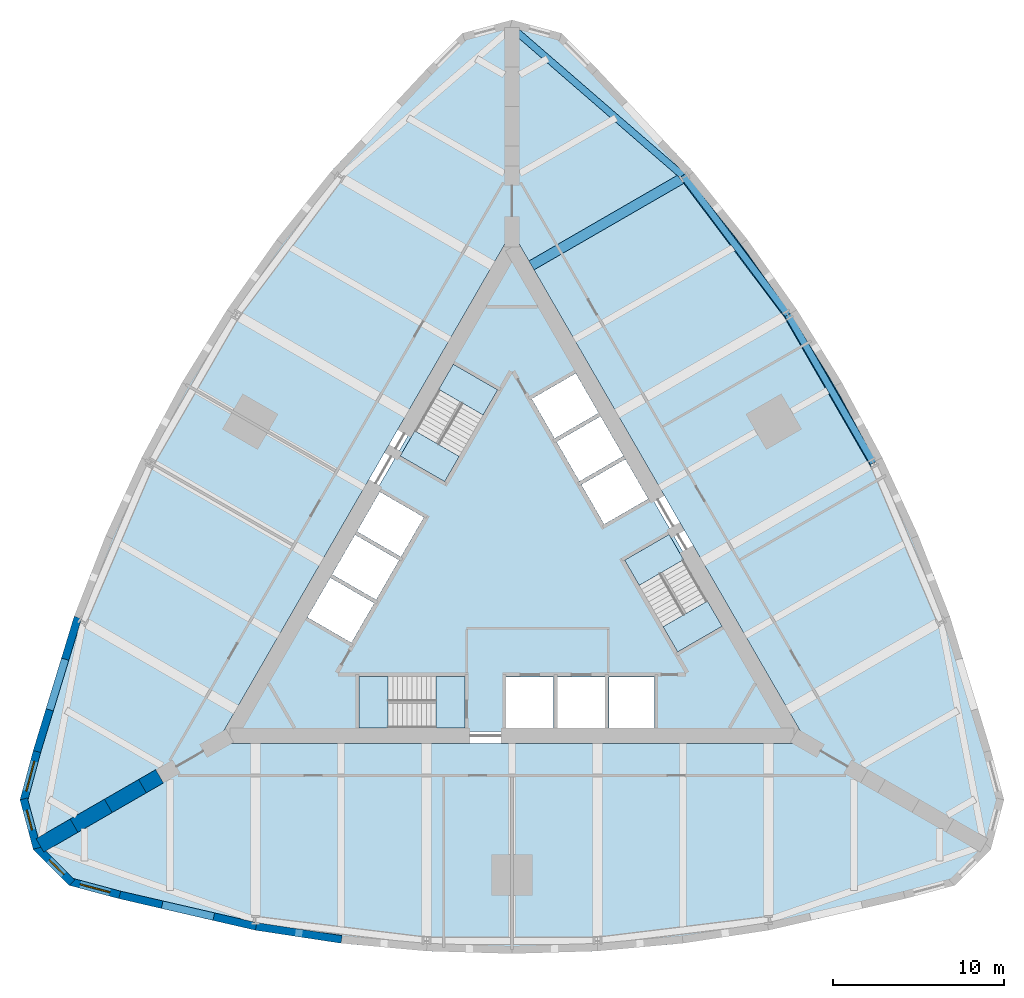
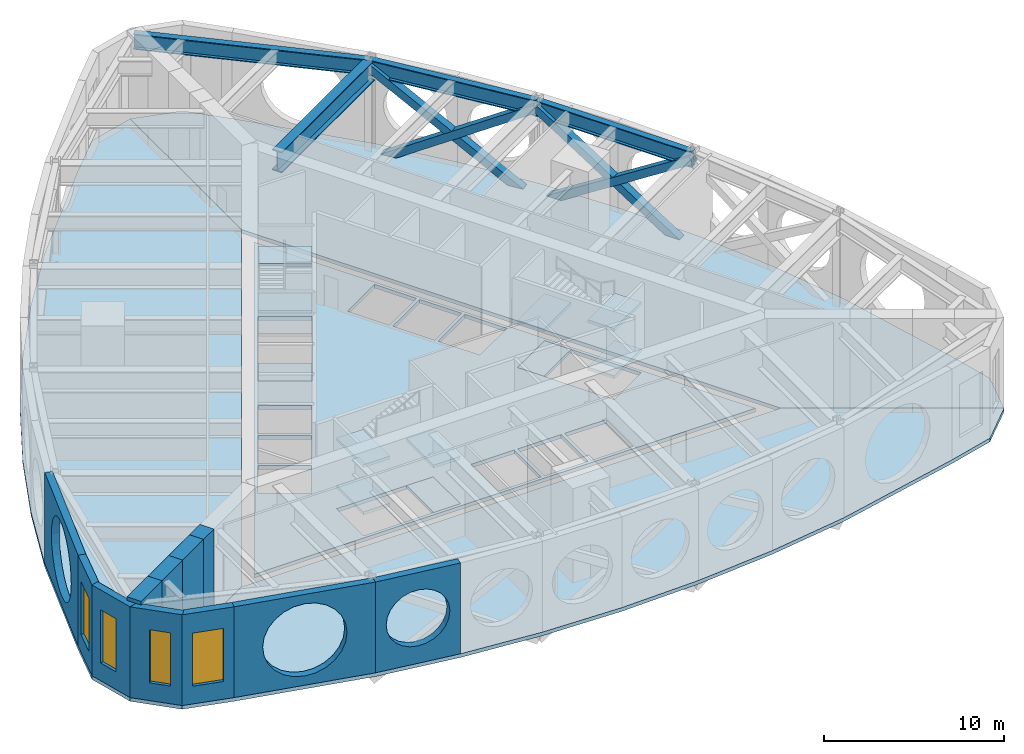
# One storey, part 2 of 7: 16 slabs, 11 walls, 4 beams, 4 members, 4 windows, 4 openings, 3 elements without a shape of their own.
"""IFC4 building model written with IfcOpenShell, lengths in metres."""

from ifc_helpers import new_model, si_unit, direction, frame, frame_2d, origin, origin_2d, place, context, subcontext, project, spatial, polyline, rectangle, hollow_rectangle, i_section, outline, extrude, material, layer, layer_set, material_profile, profile_set, type_object, element, fill, aggregate, save


model = new_model("IFC4")

# Units and contexts
model_context = context("Model", 3, precision=1e-05, world=origin(), true_north=direction((0.0, 1.0)))
body_context = subcontext(model_context, "Body", "Model", "MODEL_VIEW")
ifc_project = project(units=[si_unit("LENGTHUNIT", "METRE"), si_unit("AREAUNIT", "SQUARE_METRE"), si_unit("VOLUMEUNIT", "CUBIC_METRE"), si_unit("PLANEANGLEUNIT", "RADIAN"), si_unit("MASSUNIT", "GRAM", prefix="KILO")], contexts=[model_context])

# Site, building, storey
site_placement = place(None, origin())
site = spatial("IfcSite", under=ifc_project, at=site_placement, CompositionType="ELEMENT")
building_placement = place(site_placement, origin())
building = spatial("IfcBuilding", under=site, at=building_placement, Name="Trikona Tower", CompositionType="ELEMENT")
storey_placement = place(building_placement, frame((0.0, 0.0, 103.300048828125)))
storey = spatial("IfcBuildingStorey", under=building, at=storey_placement, Name="L27", CompositionType="ELEMENT", Elevation=103.300048828125)

# Members
ifc_material_1 = material(Name="Steel ASTM A500 Grade C", Category="steel")
ifc_material_profile_1 = material_profile(ifc_material_1, hollow_rectangle(XDim=0.508056640625, YDim=0.508056640625, WallThickness=0.0146484375, at=origin_2d()), Name="HSS20X20X5/8")
ifc_profile_set_1 = profile_set([ifc_material_profile_1], Name="Steel ASTM A500 Grade C")
member_type = type_object("IfcMemberType", Name="Belt truss diagonal HSS20x20x5/8", PredefinedType="BRACE", material=ifc_profile_set_1)
for number, where, z_axis, x_axis, name in (
    (1, (21.13720703125, 6.43017578125, -0.770751953125), (-0.42114009776, 0.729427809949, 0.539051099741), (-0.866022959057, -0.500004234368, 0.0), "Belt truss diagonal L27 F2-3a"),
    (2, (16.13720703125, 15.09033203125, -0.770751953125), (0.42114009776, -0.729427809949, 0.539051099741), (0.866022959057, 0.500004234368, 0.0), "Belt truss diagonal L27 F2-3b"),
):
    element("IfcMember", number, at=place(storey_placement, frame(where, z_axis=z_axis, x_axis=x_axis)), inside=storey, type_object=member_type, Name=name, PredefinedType="BRACE", context=body_context, shape_type="SweptSolid", body=[
        extrude(hollow_rectangle(XDim=0.508056640625, YDim=0.508056640625, WallThickness=0.0146484375, at=origin_2d()), origin(), (0.0, 0.0, 1.0), 11.87255859375),
    ])
for number, where, z_axis, x_axis, name in (
    (3, (16.13720703125, 15.09033203125, -0.770751953125), (-0.507273674807, 0.674626119907, 0.536239701241), (-0.799257787042, -0.600988344191, 0.0), "Belt truss diagonal L27 F2-4a"),
    (4, (10.0830078125, 23.141845703125, -0.770751953125), (0.507273674807, -0.674626119907, 0.536239701241), (0.799257787042, 0.600988344191, 0.0), "Belt truss diagonal L27 F2-4b"),
):
    element("IfcMember", number, at=place(storey_placement, frame(where, z_axis=z_axis, x_axis=x_axis)), inside=storey, type_object=member_type, Name=name, PredefinedType="BRACE", context=body_context, shape_type="SweptSolid", body=[
        extrude(hollow_rectangle(XDim=0.508056640625, YDim=0.508056640625, WallThickness=0.0146484375, at=origin_2d()), origin(), (0.0, 0.0, 1.0), 11.934814453125),
    ])

# Beams
ifc_material_2 = material(Name="Steel ASTM A992 Grade 50", Category="steel")
ifc_material_profile_2 = material_profile(ifc_material_2, i_section(OverallWidth=0.60009765625, OverallDepth=1.39990234375, WebThickness=0.044921875, FlangeThickness=0.06005859375, at=origin_2d()), Name="PG1400X600")
ifc_profile_set_2 = profile_set([ifc_material_profile_2], Name="Steel ASTM A992 Grade 50")
beam_type_1 = type_object("IfcBeamType", Name="Steel beam PG1400x600 (transfer)", PredefinedType="USERDEFINED", material=ifc_profile_set_2)
beam_1_placement = place(storey_placement, frame((1.1396484375, 17.978515625, 5.449951171875), z_axis=(0.866030471684, 0.499991222037, 0.0), x_axis=(-0.499991222037, 0.866030471684, 0.0)))
element("IfcBeam", 5, at=beam_1_placement, inside=storey, type_object=beam_type_1, Name="Transfer girder L28 F2 u15", ObjectType="TRANSFER GIRDER", PredefinedType="USERDEFINED", context=body_context, shape_type="SweptSolid", body=[
    extrude(i_section(OverallWidth=0.60009765625, OverallDepth=1.39990234375, WebThickness=0.044921875, FlangeThickness=0.06005859375, at=origin_2d()), origin(), (0.0, 0.0, 1.0), 10.326904296875),
])
ifc_material_3 = material(Name="Steel ASTM A992 Grade 50", Category="steel")
ifc_material_profile_3 = material_profile(ifc_material_3, i_section(OverallWidth=0.408935546875, OverallDepth=1.04150390625, WebThickness=0.031005859375, FlangeThickness=0.055908203125, at=origin_2d()), Name="W40X397")
ifc_profile_set_3 = profile_set([ifc_material_profile_3], Name="Steel ASTM A992 Grade 50")
beam_type_2 = type_object("IfcBeamType", Name="Steel beam W40x397 (plant spandrel)", PredefinedType="SPANDREL", material=ifc_profile_set_3)
beam_2_placement = place(storey_placement, frame((21.13720703125, 6.43017578125, 5.629150390625), z_axis=(-0.500004234368, 0.866022959057, 0.0), x_axis=(-0.866022959057, -0.500004234368, 0.0)))
element("IfcBeam", 6, at=beam_2_placement, inside=storey, type_object=beam_type_2, Name="Spandrel beam L28 F2-3", PredefinedType="SPANDREL", context=body_context, shape_type="SweptSolid", body=[
    extrude(i_section(OverallWidth=0.408935546875, OverallDepth=1.04150390625, WebThickness=0.031005859375, FlangeThickness=0.055908203125, at=origin_2d()), origin(), (0.0, 0.0, 1.0), 10.0),
])
beam_3_placement = place(storey_placement, frame((16.13720703125, 15.09033203125, 5.629150390625), z_axis=(-0.600988344191, 0.799257787042, 0.0), x_axis=(-0.799257787042, -0.600988344191, 0.0)))
element("IfcBeam", 7, at=beam_3_placement, inside=storey, type_object=beam_type_2, Name="Spandrel beam L28 F2-4", PredefinedType="SPANDREL", context=body_context, shape_type="SweptSolid", body=[
    extrude(i_section(OverallWidth=0.408935546875, OverallDepth=1.04150390625, WebThickness=0.031005859375, FlangeThickness=0.055908203125, at=origin_2d()), origin(), (0.0, 0.0, 1.0), 10.07373046875),
])
beam_4_placement = place(storey_placement, frame((10.0830078125, 23.141845703125, 5.629150390625), z_axis=(-0.755646822726, 0.654979296851, 0.0), x_axis=(-0.654979296851, -0.755646822726, 0.0)))
element("IfcBeam", 8, at=beam_4_placement, inside=storey, type_object=beam_type_2, Name="Spandrel beam L28 F2-5", PredefinedType="SPANDREL", context=body_context, shape_type="SweptSolid", body=[
    extrude(i_section(OverallWidth=0.408935546875, OverallDepth=1.04150390625, WebThickness=0.031005859375, FlangeThickness=0.055908203125, at=origin_2d()), origin(), (0.0, 0.0, 1.0), 13.343505859375),
])

# Slabs
ifc_material_4 = material(Name="Concrete f'c 5000 psi lightweight on composite steel deck", Category="concrete")
ifc_layer_1 = layer(ifc_material_4, 0.25)
ifc_layer_set_1 = layer_set([ifc_layer_1], Name="Composite floor slab 250")
slab_type_1 = type_object("IfcSlabType", Name="Composite floor slab 250", PredefinedType="FLOOR", material=ifc_layer_set_1)
slab_1_placement = place(storey_placement, frame((0.0, 0.0, -0.25)))
element("IfcSlab", 9, at=slab_1_placement, inside=storey, type_object=slab_type_1, Name="Floor slab L27 core", PredefinedType="FLOOR", context=body_context, shape_type="SweptSolid", body=[
    extrude(outline(polyline([(-16.06689453125, -9.2763671875), (16.06689453125, -9.2763671875), (0.0, 18.552490234375), (-16.06689453125, -9.2763671875)]), holes=[polyline([(12.285400390625, -3.126220703125), (9.185302734375, 2.2431640625), (6.587158203125, 0.7431640625), (9.687255859375, -4.626220703125), (12.285400390625, -3.126220703125)]), polyline([(8.340087890625, -9.06640625), (8.340087890625, -6.086181640625), (5.659912109375, -6.086181640625), (5.659912109375, -9.06640625), (8.340087890625, -9.06640625)]), polyline([(5.390869140625, 2.835205078125), (7.9716796875, 4.3251953125), (6.631591796875, 6.646240234375), (4.05078125, 5.15625), (5.390869140625, 2.835205078125)]), polyline([(2.600830078125, 7.667724609375), (3.94091796875, 5.3466796875), (6.521484375, 6.8369140625), (5.181640625, 9.15771484375), (2.600830078125, 7.667724609375)]), polyline([(5.43994140625, -6.086181640625), (2.659912109375, -6.086181640625), (2.659912109375, -9.06640625), (5.43994140625, -9.06640625), (5.43994140625, -6.086181640625)]), polyline([(3.731689453125, 11.669189453125), (1.15087890625, 10.17919921875), (2.490966796875, 7.858154296875), (5.071533203125, 9.34814453125), (3.731689453125, 11.669189453125)]), polyline([(-0.340087890625, -6.086181640625), (-0.340087890625, -9.06640625), (2.43994140625, -9.06640625), (2.43994140625, -6.086181640625), (-0.340087890625, -6.086181640625)]), polyline([(-3.435302734375, 12.202392578125), (-6.535400390625, 6.8330078125), (-3.937255859375, 5.3330078125), (-0.837158203125, 10.702392578125), (-3.435302734375, 12.202392578125)]), polyline([(-8.949951171875, -9.076416015625), (-2.75, -9.076416015625), (-2.75, -6.076416015625), (-8.949951171875, -6.076416015625), (-8.949951171875, -9.076416015625)]), polyline([(-5.15087890625, 3.2509765625), (-7.731689453125, 4.740966796875), (-9.071533203125, 2.419921875), (-6.490966796875, 0.929931640625), (-5.15087890625, 3.2509765625)]), polyline([(-7.94091796875, -1.581298828125), (-6.600830078125, 0.739501953125), (-9.181640625, 2.2294921875), (-10.521484375, -0.09130859375), (-7.94091796875, -1.581298828125)]), polyline([(-11.9716796875, -2.602783203125), (-9.390869140625, -4.093017578125), (-8.05078125, -1.77197265625), (-10.631591796875, -0.281982421875), (-11.9716796875, -2.602783203125)])]), origin(), (0.0, 0.0, 1.0), 0.25),
])
slab_2_placement = place(storey_placement, frame((0.0, 0.0, -0.25)))
element("IfcSlab", 10, at=slab_2_placement, inside=storey, type_object=slab_type_1, Name="Floor slab L27 south", PredefinedType="FLOOR", context=body_context, shape_type="SweptSolid", body=[
    extrude(outline(polyline([(25.88671875, -18.279052734375), (28.0, -16.165771484375), (17.279296875, -9.976318359375), (-17.279296875, -9.976318359375), (-28.0, -16.165771484375), (-25.88671875, -18.279052734375), (-23.0, -19.052490234375), (-15.0, -20.903076171875), (-10.0, -21.663818359375), (-5.0, -22.120361328125), (0.0, -22.272705078125), (5.0, -22.120361328125), (10.0, -21.663818359375), (15.0, -20.903076171875), (23.0, -19.052490234375), (25.88671875, -18.279052734375)])), origin(), (0.0, 0.0, 1.0), 0.25),
])
slab_3_placement = place(storey_placement, frame((0.0, 0.0, -0.25)))
element("IfcSlab", 11, at=slab_3_placement, inside=storey, type_object=slab_type_1, Name="Floor slab L27 north-east", PredefinedType="FLOOR", context=body_context, shape_type="SweptSolid", body=[
    extrude(outline(polyline([(2.88671875, 31.55810546875), (0.0, 32.33154296875), (0.0, 19.95263671875), (17.279296875, -9.976318359375), (28.0, -16.165771484375), (28.7734375, -13.279052734375), (28.0, -10.392333984375), (25.6025390625, -2.538818359375), (23.761474609375, 2.171630859375), (21.65673828125, 6.72998046875), (19.28857421875, 11.13623046875), (16.65673828125, 15.390380859375), (13.761474609375, 19.4921875), (10.6025390625, 23.44189453125), (5.0, 29.44482421875), (2.88671875, 31.55810546875)])), origin(), (0.0, 0.0, 1.0), 0.25),
])
slab_4_placement = place(storey_placement, frame((0.0, 0.0, -0.25)))
element("IfcSlab", 12, at=slab_4_placement, inside=storey, type_object=slab_type_1, Name="Floor slab L27 north-west", PredefinedType="FLOOR", context=body_context, shape_type="SweptSolid", body=[
    extrude(outline(polyline([(0.0, 19.95263671875), (0.0, 32.33154296875), (-2.88671875, 31.55810546875), (-5.0, 29.44482421875), (-10.6025390625, 23.44189453125), (-13.761474609375, 19.4921875), (-16.65673828125, 15.390380859375), (-19.28857421875, 11.13623046875), (-21.65673828125, 6.72998046875), (-23.761474609375, 2.171630859375), (-25.6025390625, -2.538818359375), (-28.0, -10.392333984375), (-28.7734375, -13.279052734375), (-28.0, -16.165771484375), (-17.279296875, -9.976318359375), (0.0, 19.95263671875)])), origin(), (0.0, 0.0, 1.0), 0.25),
])

# Stair, slabs
ifc_material_5 = material(Name="Concrete f'c 5000 psi", Category="concrete")
stair_type = type_object("IfcStairType", Name="Core stair", PredefinedType="HALF_TURN_STAIR", material=ifc_material_5)
stair_1_placement = place(storey_placement, origin())
stair_1 = element("IfcStair", 13, at=stair_1_placement, inside=storey, type_object=stair_type, Name="Stair A L27", PredefinedType="HALF_TURN_STAIR")
ifc_material_6 = material(Name="Concrete f'c 5000 psi", Category="concrete")
ifc_layer_2 = layer(ifc_material_6, 0.199951171875)
ifc_layer_set_2 = layer_set([ifc_layer_2], Name="Stair landing 200")
slab_type_2 = type_object("IfcSlabType", Name="Stair landing 200", PredefinedType="LANDING", material=ifc_layer_set_2)
slab_5_placement = place(storey_placement, frame((0.0, 0.0, -0.199951171875)))
slab_5 = element("IfcSlab", 14, at=slab_5_placement, type_object=slab_type_2, Name="ST-A landing 1", PredefinedType="LANDING", context=body_context, shape_type="SweptSolid", body=[
    extrude(outline(polyline([(-4.452880859375, -6.076416015625), (-2.75, -6.076416015625), (-2.75, -9.076416015625), (-4.452880859375, -9.076416015625), (-4.452880859375, -6.076416015625)])), origin(), (0.0, 0.0, 1.0), 0.199951171875),
])
slab_6_placement = place(storey_placement, frame((0.0, 0.0, 1.39990234375)))
slab_6 = element("IfcSlab", 15, at=slab_6_placement, type_object=slab_type_2, Name="ST-A landing 2", PredefinedType="LANDING", context=body_context, shape_type="SweptSolid", body=[
    extrude(outline(polyline([(-8.949951171875, -6.076416015625), (-7.2470703125, -6.076416015625), (-7.2470703125, -9.076416015625), (-8.949951171875, -9.076416015625), (-8.949951171875, -6.076416015625)])), origin(), (0.0, 0.0, 1.0), 0.199951171875),
])
slab_7_placement = place(storey_placement, frame((0.0, 0.0, 3.0)))
slab_7 = element("IfcSlab", 16, at=slab_7_placement, type_object=slab_type_2, Name="ST-A landing 3", PredefinedType="LANDING", context=body_context, shape_type="SweptSolid", body=[
    extrude(outline(polyline([(-4.452880859375, -6.076416015625), (-2.75, -6.076416015625), (-2.75, -9.076416015625), (-4.452880859375, -9.076416015625), (-4.452880859375, -6.076416015625)])), origin(), (0.0, 0.0, 1.0), 0.199951171875),
])
slab_8_placement = place(storey_placement, frame((0.0, 0.0, 4.599853515625)))
slab_8 = element("IfcSlab", 17, at=slab_8_placement, type_object=slab_type_2, Name="ST-A landing 4", PredefinedType="LANDING", context=body_context, shape_type="SweptSolid", body=[
    extrude(outline(polyline([(-8.949951171875, -6.076416015625), (-7.2470703125, -6.076416015625), (-7.2470703125, -9.076416015625), (-8.949951171875, -9.076416015625), (-8.949951171875, -6.076416015625)])), origin(), (0.0, 0.0, 1.0), 0.2001953125),
])
aggregate(stair_1, [slab_5, slab_6, slab_7, slab_8])

stair_2_placement = place(storey_placement, origin())
stair_2 = element("IfcStair", 18, at=stair_2_placement, inside=storey, type_object=stair_type, Name="Stair B L27", PredefinedType="HALF_TURN_STAIR")
slab_9_placement = place(storey_placement, frame((0.0, 0.0, -0.199951171875)))
slab_9 = element("IfcSlab", 19, at=slab_9_placement, type_object=slab_type_2, Name="ST-B landing 1", PredefinedType="LANDING", context=body_context, shape_type="SweptSolid", body=[
    extrude(outline(polyline([(7.438720703125, -0.731689453125), (6.587158203125, 0.7431640625), (9.185302734375, 2.2431640625), (10.036865234375, 0.768310546875), (7.438720703125, -0.731689453125)])), origin(), (0.0, 0.0, 1.0), 0.199951171875),
])
slab_10_placement = place(storey_placement, frame((0.0, 0.0, 1.39990234375)))
slab_10 = element("IfcSlab", 20, at=slab_10_placement, type_object=slab_type_2, Name="ST-B landing 2", PredefinedType="LANDING", context=body_context, shape_type="SweptSolid", body=[
    extrude(outline(polyline([(9.687255859375, -4.626220703125), (8.835693359375, -3.1513671875), (11.433837890625, -1.6513671875), (12.285400390625, -3.126220703125), (9.687255859375, -4.626220703125)])), origin(), (0.0, 0.0, 1.0), 0.199951171875),
])
slab_11_placement = place(storey_placement, frame((0.0, 0.0, 3.0)))
slab_11 = element("IfcSlab", 21, at=slab_11_placement, type_object=slab_type_2, Name="ST-B landing 3", PredefinedType="LANDING", context=body_context, shape_type="SweptSolid", body=[
    extrude(outline(polyline([(7.438720703125, -0.731689453125), (6.587158203125, 0.7431640625), (9.185302734375, 2.2431640625), (10.036865234375, 0.768310546875), (7.438720703125, -0.731689453125)])), origin(), (0.0, 0.0, 1.0), 0.199951171875),
])
slab_12_placement = place(storey_placement, frame((0.0, 0.0, 4.599853515625)))
slab_12 = element("IfcSlab", 22, at=slab_12_placement, type_object=slab_type_2, Name="ST-B landing 4", PredefinedType="LANDING", context=body_context, shape_type="SweptSolid", body=[
    extrude(outline(polyline([(9.687255859375, -4.626220703125), (8.835693359375, -3.1513671875), (11.433837890625, -1.6513671875), (12.285400390625, -3.126220703125), (9.687255859375, -4.626220703125)])), origin(), (0.0, 0.0, 1.0), 0.2001953125),
])
aggregate(stair_2, [slab_9, slab_10, slab_11, slab_12])

stair_3_placement = place(storey_placement, origin())
stair_3 = element("IfcStair", 23, at=stair_3_placement, inside=storey, type_object=stair_type, Name="Stair C L27", PredefinedType="HALF_TURN_STAIR")
slab_13_placement = place(storey_placement, frame((0.0, 0.0, -0.199951171875)))
slab_13 = element("IfcSlab", 24, at=slab_13_placement, type_object=slab_type_2, Name="ST-C landing 1", PredefinedType="LANDING", context=body_context, shape_type="SweptSolid", body=[
    extrude(outline(polyline([(-3.085693359375, 6.807861328125), (-3.937255859375, 5.3330078125), (-6.535400390625, 6.8330078125), (-5.683837890625, 8.307861328125), (-3.085693359375, 6.807861328125)])), origin(), (0.0, 0.0, 1.0), 0.199951171875),
])
slab_14_placement = place(storey_placement, frame((0.0, 0.0, 1.39990234375)))
slab_14 = element("IfcSlab", 25, at=slab_14_placement, type_object=slab_type_2, Name="ST-C landing 2", PredefinedType="LANDING", context=body_context, shape_type="SweptSolid", body=[
    extrude(outline(polyline([(-0.837158203125, 10.702392578125), (-1.688720703125, 9.2275390625), (-4.286865234375, 10.7275390625), (-3.435302734375, 12.202392578125), (-0.837158203125, 10.702392578125)])), origin(), (0.0, 0.0, 1.0), 0.199951171875),
])
slab_15_placement = place(storey_placement, frame((0.0, 0.0, 3.0)))
slab_15 = element("IfcSlab", 26, at=slab_15_placement, type_object=slab_type_2, Name="ST-C landing 3", PredefinedType="LANDING", context=body_context, shape_type="SweptSolid", body=[
    extrude(outline(polyline([(-3.085693359375, 6.807861328125), (-3.937255859375, 5.3330078125), (-6.535400390625, 6.8330078125), (-5.683837890625, 8.307861328125), (-3.085693359375, 6.807861328125)])), origin(), (0.0, 0.0, 1.0), 0.199951171875),
])
slab_16_placement = place(storey_placement, frame((0.0, 0.0, 4.599853515625)))
slab_16 = element("IfcSlab", 27, at=slab_16_placement, type_object=slab_type_2, Name="ST-C landing 4", PredefinedType="LANDING", context=body_context, shape_type="SweptSolid", body=[
    extrude(outline(polyline([(-0.837158203125, 10.702392578125), (-1.688720703125, 9.2275390625), (-4.286865234375, 10.7275390625), (-3.435302734375, 12.202392578125), (-0.837158203125, 10.702392578125)])), origin(), (0.0, 0.0, 1.0), 0.2001953125),
])
aggregate(stair_3, [slab_13, slab_14, slab_15, slab_16])

# Wall, opening, window
ifc_material_7 = material(Name="Brick-faced precast concrete", Category="masonry")
ifc_layer_3 = layer(ifc_material_7, 0.449951171875)
ifc_layer_set_3 = layer_set([ifc_layer_3], Name="Brick-faced corner wall 450")
wall_type_1 = type_object("IfcWallType", Name="Brick-faced corner wall 450", PredefinedType="SOLIDWALL", material=ifc_layer_set_3)
wall_1_placement = place(storey_placement, frame((-27.78271484375, -10.450439453125, 0.0), z_axis=(0.0, 0.0, 1.0), x_axis=(-0.258780998834, -0.965936019953, 0.0)))
wall_1 = element("IfcWall", 28, at=wall_1_placement, inside=storey, type_object=wall_type_1, Name="External wall L27-32", PredefinedType="SOLIDWALL", context=body_context, shape_type="SweptSolid", body=[
    extrude(rectangle(XDim=2.98876953125, YDim=0.449951171875, at=frame_2d((1.494384765625, 0.0))), origin(), (0.0, 0.0, 1.0), 6.14990234375),
])
opening_1_placement = place(wall_1_placement, frame((0.59423828125, 0.0, 1.199951171875)))
opening_1 = element("IfcOpeningElement", 29, at=opening_1_placement, cuts=wall_1, Name="Opening W1836", PredefinedType="OPENING", context=body_context, shape_type="SweptSolid", body=[
    extrude(rectangle(XDim=1.800048828125, YDim=3.60009765625, at=frame_2d((0.89990234375, 1.800048828125))), frame((0.0, 0.23486328125, 0.0), z_axis=(0.0, -1.0, 0.0), x_axis=(1.0, 0.0, 0.0)), (0.0, 0.0, 1.0), 0.469970703125),
])
ifc_material_8 = material(Name="Aluminium-framed double glazing", Category="aluminium")
window_type_1 = type_object("IfcWindowType", Name="Window 1800x3600", PartitioningType="SINGLE_PANEL", PredefinedType="WINDOW", material=ifc_material_8)
window_1_placement = place(opening_1_placement, origin())
window_1 = element("IfcWindow", 30, at=window_1_placement, inside=storey, type_object=window_type_1, Name="Window L27-SMF", OverallHeight=3.60009765625, OverallWidth=1.800048828125, PartitioningType="SINGLE_PANEL", PredefinedType="WINDOW", context=body_context, shape_type="SweptSolid", body=[
    extrude(rectangle(XDim=1.800048828125, YDim=3.60009765625, at=frame_2d((0.89990234375, 1.800048828125))), frame((0.0, 0.030029296875, 0.0), z_axis=(0.0, -1.0, 0.0), x_axis=(1.0, 0.0, 0.0)), (0.0, 0.0, 1.0), 0.06005859375),
])
fill(opening_1, window_1)

wall_2_placement = place(storey_placement, frame((-28.55615234375, -13.220947265625, 0.0), z_axis=(0.0, 0.0, 1.0), x_axis=(0.258801419081, -0.965930548995, 0.0)))
wall_2 = element("IfcWall", 31, at=wall_2_placement, inside=storey, type_object=wall_type_1, Name="External wall L27-33", PredefinedType="SOLIDWALL", context=body_context, shape_type="SweptSolid", body=[
    extrude(outline(polyline([(2.988525390625, 0.22509765625), (2.928955078125, 0.22509765625), (2.437255859375, 0.09326171875), (2.402099609375, 0.22509765625), (0.0, 0.22509765625), (0.0, -0.22509765625), (2.988525390625, -0.22509765625), (2.988525390625, 0.22509765625)])), origin(), (0.0, 0.0, 1.0), 6.14990234375),
])
opening_2_placement = place(wall_2_placement, frame((0.676025390625, 0.0, 1.199951171875)))
opening_2 = element("IfcOpeningElement", 32, at=opening_2_placement, cuts=wall_2, Name="Opening W1236", PredefinedType="OPENING", context=body_context, shape_type="SweptSolid", body=[
    extrude(rectangle(XDim=1.199951171875, YDim=3.60009765625, at=frame_2d((0.60009765625, 1.800048828125))), frame((0.0, 0.23486328125, 0.0), z_axis=(0.0, -1.0, 0.0), x_axis=(1.0, 0.0, 0.0)), (0.0, 0.0, 1.0), 0.469970703125),
])
ifc_material_9 = material(Name="Aluminium-framed double glazing", Category="aluminium")
window_type_2 = type_object("IfcWindowType", Name="Window 1200x3600", PartitioningType="SINGLE_PANEL", PredefinedType="WINDOW", material=ifc_material_9)
window_2_placement = place(opening_2_placement, origin())
window_2 = element("IfcWindow", 33, at=window_2_placement, inside=storey, type_object=window_type_2, Name="Window L27-SMF", OverallHeight=3.60009765625, OverallWidth=1.199951171875, PartitioningType="SINGLE_PANEL", PredefinedType="WINDOW", context=body_context, shape_type="SweptSolid", body=[
    extrude(rectangle(XDim=1.199951171875, YDim=3.60009765625, at=frame_2d((0.60009765625, 1.800048828125))), frame((0.0, 0.030029296875, 0.0), z_axis=(0.0, -1.0, 0.0), x_axis=(1.0, 0.0, 0.0)), (0.0, 0.0, 1.0), 0.06005859375),
])
fill(opening_2, window_2)

wall_3_placement = place(storey_placement, frame((-27.8408203125, -16.006591796875, 0.0), z_axis=(0.0, 0.0, 1.0), x_axis=(0.707025086683, -0.707188466253, 0.0)))
wall_3 = element("IfcWall", 34, at=wall_3_placement, inside=storey, type_object=wall_type_1, Name="External wall L27-34", PredefinedType="SOLIDWALL", context=body_context, shape_type="SweptSolid", body=[
    extrude(outline(polyline([(2.988525390625, 0.22509765625), (0.58642578125, 0.22509765625), (0.551025390625, 0.093017578125), (0.058837890625, 0.22509765625), (0.0, 0.22509765625), (0.0, -0.22509765625), (2.988525390625, -0.22509765625), (2.988525390625, 0.22509765625)])), origin(), (0.0, 0.0, 1.0), 6.14990234375),
])
opening_3_placement = place(wall_3_placement, frame((1.112548828125, 0.0, 1.199951171875)))
opening_3 = element("IfcOpeningElement", 35, at=opening_3_placement, cuts=wall_3, Name="Opening W1236", PredefinedType="OPENING", context=body_context, shape_type="SweptSolid", body=[
    extrude(rectangle(XDim=1.199951171875, YDim=3.60009765625, at=frame_2d((0.60009765625, 1.800048828125))), frame((0.0, 0.23486328125, 0.0), z_axis=(0.0, -1.0, 0.0), x_axis=(1.0, 0.0, 0.0)), (0.0, 0.0, 1.0), 0.469970703125),
])
window_3_placement = place(opening_3_placement, origin())
window_3 = element("IfcWindow", 36, at=window_3_placement, inside=storey, type_object=window_type_2, Name="Window L27-AHU", OverallHeight=3.60009765625, OverallWidth=1.199951171875, PartitioningType="SINGLE_PANEL", PredefinedType="WINDOW", context=body_context, shape_type="SweptSolid", body=[
    extrude(rectangle(XDim=1.199951171875, YDim=3.60009765625, at=frame_2d((0.60009765625, 1.800048828125))), frame((0.0, 0.030029296875, 0.0), z_axis=(0.0, -1.0, 0.0), x_axis=(1.0, 0.0, 0.0)), (0.0, 0.0, 1.0), 0.06005859375),
])
fill(opening_3, window_3)

wall_4_placement = place(storey_placement, frame((-25.82861328125, -18.061767578125, 0.0), z_axis=(0.0, 0.0, 1.0), x_axis=(0.965930548995, -0.258801419081, 0.0)))
wall_4 = element("IfcWall", 37, at=wall_4_placement, inside=storey, type_object=wall_type_1, Name="External wall L27-35", PredefinedType="SOLIDWALL", context=body_context, shape_type="SweptSolid", body=[
    extrude(rectangle(XDim=2.988525390625, YDim=0.449951171875, at=frame_2d((1.494140625, 0.0))), origin(), (0.0, 0.0, 1.0), 6.14990234375),
])
opening_4_placement = place(wall_4_placement, frame((0.59423828125, 0.0, 1.199951171875)))
opening_4 = element("IfcOpeningElement", 38, at=opening_4_placement, cuts=wall_4, Name="Opening W1836", PredefinedType="OPENING", context=body_context, shape_type="SweptSolid", body=[
    extrude(rectangle(XDim=1.800048828125, YDim=3.60009765625, at=frame_2d((0.89990234375, 1.800048828125))), frame((0.0, 0.23486328125, 0.0), z_axis=(0.0, -1.0, 0.0), x_axis=(1.0, 0.0, 0.0)), (0.0, 0.0, 1.0), 0.469970703125),
])
window_4_placement = place(opening_4_placement, origin())
window_4 = element("IfcWindow", 39, at=window_4_placement, inside=storey, type_object=window_type_1, Name="Window L27-AHU", OverallHeight=3.60009765625, OverallWidth=1.800048828125, PartitioningType="SINGLE_PANEL", PredefinedType="WINDOW", context=body_context, shape_type="SweptSolid", body=[
    extrude(rectangle(XDim=1.800048828125, YDim=3.60009765625, at=frame_2d((0.89990234375, 1.800048828125))), frame((0.0, 0.030029296875, 0.0), z_axis=(0.0, -1.0, 0.0), x_axis=(1.0, 0.0, 0.0)), (0.0, 0.0, 1.0), 0.06005859375),
])
fill(opening_4, window_4)

# Walls
ifc_material_10 = material(Name="Brick-faced precast concrete with louvred openings", Category="masonry")
ifc_layer_4 = layer(ifc_material_10, 0.449951171875)
ifc_layer_set_4 = layer_set([ifc_layer_4], Name="Brick-faced plant wall 450")
wall_type_2 = type_object("IfcWallType", Name="Brick-faced plant wall 450", PredefinedType="SOLIDWALL", material=ifc_layer_set_4)
wall_5_placement = place(storey_placement, frame((-22.94921875, -18.83349609375, 0.0), z_axis=(0.0, 0.0, 1.0), x_axis=(0.974279327392, -0.225343720163, 0.0)))
element("IfcWall", 40, at=wall_5_placement, inside=storey, type_object=wall_type_2, Name="External wall L27-00", PredefinedType="SOLIDWALL", context=body_context, shape_type="SweptSolid", body=[
    extrude(outline(polyline([(0.0, 0.0), (8.211181640625, 0.0), (8.211181640625, 6.14990234375), (0.0, 6.14990234375), (0.0, 0.0)]), holes=[polyline([(6.5556640625, 3.074951171875), (6.47216796875, 3.708984375), (6.227294921875, 4.300048828125), (5.837890625, 4.807373046875), (5.33056640625, 5.19677734375), (4.73974609375, 5.44140625), (4.105712890625, 5.52490234375), (3.471435546875, 5.44140625), (2.880615234375, 5.19677734375), (2.373291015625, 4.807373046875), (1.98388671875, 4.300048828125), (1.739013671875, 3.708984375), (1.655517578125, 3.074951171875), (1.739013671875, 2.44091796875), (1.98388671875, 1.849853515625), (2.373291015625, 1.342529296875), (2.880615234375, 0.953125), (3.471435546875, 0.70849609375), (4.105712890625, 0.625), (4.73974609375, 0.70849609375), (5.33056640625, 0.953125), (5.837890625, 1.342529296875), (6.227294921875, 1.849853515625), (6.47216796875, 2.44091796875), (6.5556640625, 3.074951171875)])]), frame((0.0, 0.22509765625, 0.0), z_axis=(0.0, -1.0, 0.0), x_axis=(1.0, 0.0, 0.0)), (0.0, 0.0, 1.0), 0.449951171875),
])
wall_6_placement = place(storey_placement, frame((-14.966064453125, -20.6806640625, 0.0), z_axis=(0.0, 0.0, 1.0), x_axis=(0.988622582897, -0.150417381265, 0.0)))
element("IfcWall", 41, at=wall_6_placement, inside=storey, type_object=wall_type_2, Name="External wall L27-01", PredefinedType="SOLIDWALL", context=body_context, shape_type="SweptSolid", body=[
    extrude(outline(polyline([(0.0, 0.0), (5.0576171875, 0.0), (5.0576171875, 6.14990234375), (0.0, 6.14990234375), (0.0, 0.0)]), holes=[polyline([(4.4287109375, 3.074951171875), (4.364013671875, 3.566650390625), (4.17431640625, 4.02490234375), (3.872314453125, 4.41845703125), (3.478759765625, 4.720458984375), (3.0205078125, 4.91015625), (2.52880859375, 4.974853515625), (2.037109375, 4.91015625), (1.578857421875, 4.720458984375), (1.185302734375, 4.41845703125), (0.88330078125, 4.02490234375), (0.693603515625, 3.566650390625), (0.62890625, 3.074951171875), (0.693603515625, 2.583251953125), (0.88330078125, 2.125), (1.185302734375, 1.7314453125), (1.578857421875, 1.429443359375), (2.037109375, 1.23974609375), (2.52880859375, 1.175048828125), (3.0205078125, 1.23974609375), (3.478759765625, 1.429443359375), (3.872314453125, 1.7314453125), (4.17431640625, 2.125), (4.364013671875, 2.583251953125), (4.4287109375, 3.074951171875)])]), frame((0.0, 0.22509765625, 0.0), z_axis=(0.0, -1.0, 0.0), x_axis=(1.0, 0.0, 0.0)), (0.0, 0.0, 1.0), 0.449951171875),
])
wall_7_placement = place(storey_placement, frame((-25.38720703125, -2.6044921875, 0.0), z_axis=(0.0, 0.0, 1.0), x_axis=(-0.291997961298, -0.956418940945, 0.0)))
element("IfcWall", 42, at=wall_7_placement, inside=storey, type_object=wall_type_2, Name="External wall L27-31", PredefinedType="SOLIDWALL", context=body_context, shape_type="SweptSolid", body=[
    extrude(outline(polyline([(0.0, 0.0), (8.21142578125, 0.0), (8.21142578125, 6.14990234375), (0.0, 6.14990234375), (0.0, 0.0)]), holes=[polyline([(6.5556640625, 3.074951171875), (6.47216796875, 3.708984375), (6.227294921875, 4.300048828125), (5.837890625, 4.807373046875), (5.33056640625, 5.19677734375), (4.73974609375, 5.44140625), (4.105712890625, 5.52490234375), (3.471435546875, 5.44140625), (2.880615234375, 5.19677734375), (2.373291015625, 4.807373046875), (1.98388671875, 4.300048828125), (1.739013671875, 3.708984375), (1.655517578125, 3.074951171875), (1.739013671875, 2.44091796875), (1.98388671875, 1.849853515625), (2.373291015625, 1.342529296875), (2.880615234375, 0.953125), (3.471435546875, 0.70849609375), (4.105712890625, 0.625), (4.73974609375, 0.70849609375), (5.33056640625, 0.953125), (5.837890625, 1.342529296875), (6.227294921875, 1.849853515625), (6.47216796875, 2.44091796875), (6.5556640625, 3.074951171875)])]), frame((0.0, 0.22509765625, 0.0), z_axis=(0.0, -1.0, 0.0), x_axis=(1.0, 0.0, 0.0)), (0.0, 0.0, 1.0), 0.449951171875),
])
ifc_material_11 = material(Name="Concrete f'c 10000 psi", Category="concrete")
ifc_layer_5 = layer(ifc_material_11, 0.89990234375)
ifc_layer_set_5 = layer_set([ifc_layer_5], Name="Buttress wall 900")
wall_type_3 = type_object("IfcWallType", Name="Buttress wall 900", PredefinedType="SHEAR", material=ifc_layer_set_5)
wall_8_placement = place(storey_placement, frame((-20.6103515625, -11.8994140625, 0.0), z_axis=(0.0, 0.0, 1.0), x_axis=(-0.866009537788, -0.500027479704, 0.0)))
element("IfcWall", 43, at=wall_8_placement, inside=storey, type_object=wall_type_3, Name="Buttress wall 3 part 2", PredefinedType="SHEAR", context=body_context, shape_type="SweptSolid", body=[
    extrude(rectangle(XDim=1.15478515625, YDim=0.89990234375, at=frame_2d((0.577392578125, 0.0))), origin(), (0.0, 0.0, 1.0), 6.39990234375),
])
for number, where, z_axis, x_axis, name in (
    (44, (-21.6103515625, -12.476806640625, 0.0), (0.0, 0.0, 1.0), (-0.866055313784, -0.499948190782, 0.0), "Buttress wall 3 part 3"),
    (45, (-23.6103515625, -13.63134765625, 0.0), (0.0, 0.0, 1.0), (-0.866009537788, -0.500027479704, 0.0), "Buttress wall 3 part 4"),
    (46, (-25.6103515625, -14.7861328125, 0.0), (0.0, 0.0, 1.0), (-0.866009537788, -0.500027479704, 0.0), "Buttress wall 3 part 5"),
):
    element("IfcWall", number, at=place(storey_placement, frame(where, z_axis=z_axis, x_axis=x_axis)), inside=storey, type_object=wall_type_3, Name=name, PredefinedType="SHEAR", context=body_context, shape_type="SweptSolid", body=[
        extrude(rectangle(XDim=2.309326171875, YDim=0.89990234375, at=frame_2d((1.15478515625, 0.0))), origin(), (0.0, 0.0, 1.0), 6.39990234375),
    ])

save(model, "model.ifc")
